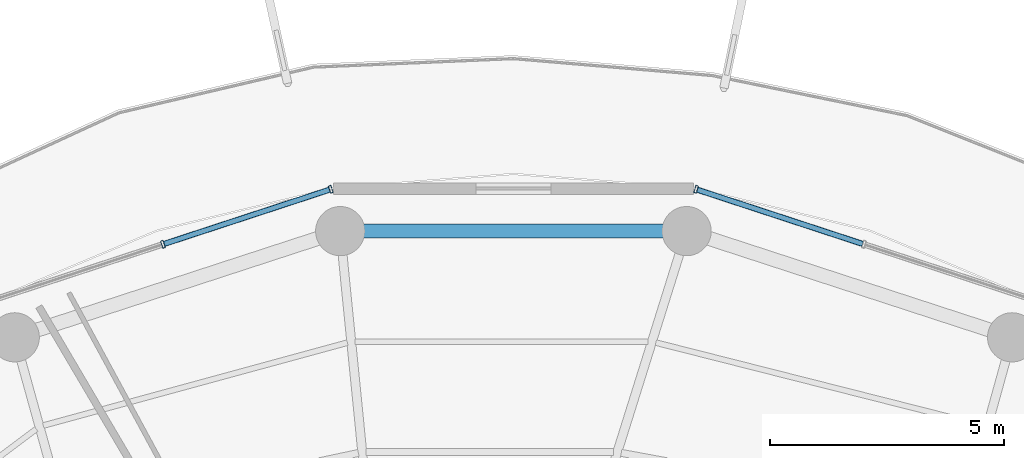
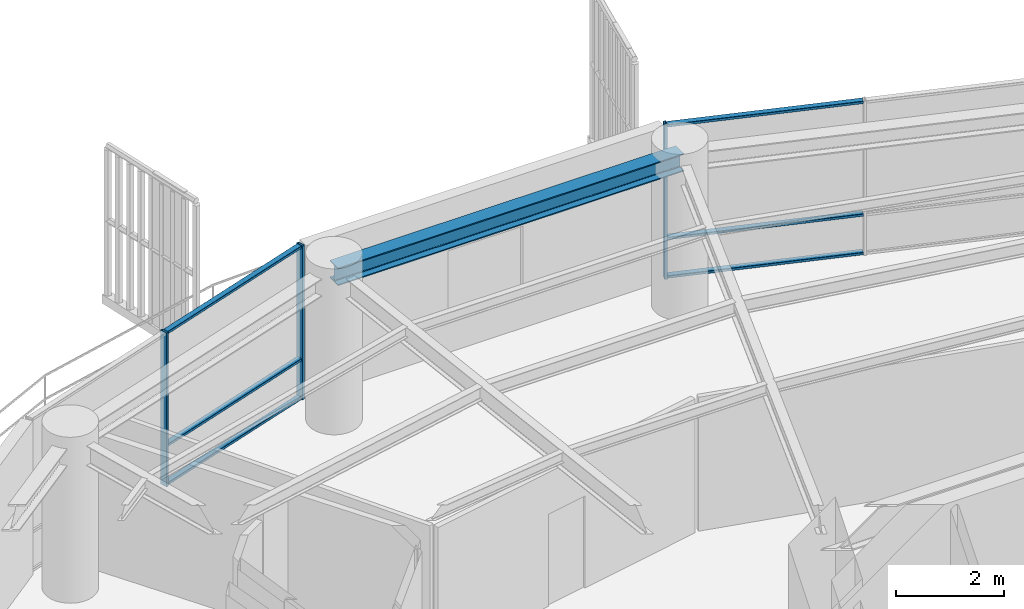
# One storey, part 20 of 31: 9 members, 1 beam, 2 elements without a shape of their own.
"""IFC4 building model written with IfcOpenShell, lengths in metres."""

from ifc_helpers import new_model, si_unit, direction, frame, origin, origin_2d, place, context, subcontext, project, spatial, hollow_rectangle, i_section, extrude, material, layer, layer_set, material_profile, profile_set, type_object, element, aggregate, save


model = new_model("IFC4")

# Units and contexts
model_context = context("Model", 3, precision=1e-05, world=origin(), true_north=direction((0.0, 1.0)))
body_context = subcontext(model_context, "Body", "Model", "MODEL_VIEW")
ifc_project = project(units=[si_unit("LENGTHUNIT", "METRE"), si_unit("AREAUNIT", "SQUARE_METRE"), si_unit("VOLUMEUNIT", "CUBIC_METRE"), si_unit("PLANEANGLEUNIT", "RADIAN"), si_unit("MASSUNIT", "GRAM", prefix="KILO")], contexts=[model_context])

# Site, building, storey
site_placement = place(None, origin())
site = spatial("IfcSite", under=ifc_project, at=site_placement, CompositionType="ELEMENT")
building_placement = place(site_placement, origin())
building = spatial("IfcBuilding", under=site, at=building_placement, Name="Kelanora Arch Commons", CompositionType="ELEMENT")
storey_placement = place(building_placement, frame((0.0, 0.0, 230.699951171875)))
storey = spatial("IfcBuildingStorey", under=building, at=storey_placement, Name="L59", CompositionType="ELEMENT", Elevation=230.699951171875)

# Beam
ifc_material_1 = material(Name="Steel S355", Category="steel")
ifc_material_profile_1 = material_profile(ifc_material_1, i_section(OverallWidth=0.300048828125, OverallDepth=0.39990234375, WebThickness=0.013427734375, FlangeThickness=0.02392578125, FilletRadius=0.027099609375, at=origin_2d()), Name="HEB400")
ifc_profile_set_1 = profile_set([ifc_material_profile_1], Name="Steel S355")
beam_type = type_object("IfcBeamType", Name="BM-SPN-Z4", PredefinedType="SPANDREL", material=ifc_profile_set_1)
beam_placement = place(storey_placement, frame((77.6953125, 76.7900390625, 3.2900390625), z_axis=(-1.0, 0.0, 0.0), x_axis=(0.0, -1.0, 0.0)))
element("IfcBeam", 1, at=beam_placement, inside=storey, type_object=beam_type, Name="Perimeter Spandrel Beam BS-08 L59", PredefinedType="SPANDREL", context=body_context, shape_type="SweptSolid", body=[
    extrude(i_section(OverallWidth=0.300048828125, OverallDepth=0.39990234375, WebThickness=0.013427734375, FlangeThickness=0.02392578125, FilletRadius=0.027099609375, at=origin_2d()), origin(), (0.0, 0.0, 1.0), 7.390625),
])

# Curtain wall, member
ifc_material_2 = material(Name="Terracotta ceramic-fritted low-E glass and aluminium", Category="masonry")
ifc_layer = layer(ifc_material_2, 0.175048828125)
ifc_layer_set = layer_set([ifc_layer], Name="Terracotta ceramic-fritted low-E glass and aluminium")
curtain_wall_type = type_object("IfcCurtainWallType", Name="CW-SYS-02", PredefinedType="NOTDEFINED", material=ifc_layer_set)
curtain_wall_1_placement = place(storey_placement, origin())
curtain_wall_1 = element("IfcCurtainWall", 2, at=curtain_wall_1_placement, inside=storey, type_object=curtain_wall_type, Name="Unitised Curtain Wall L59-B03", PredefinedType="NOTDEFINED")
ifc_material_3 = material(Name="Powder-coated aluminium terracotta", Category="masonry")
ifc_material_profile_2 = material_profile(ifc_material_3, hollow_rectangle(XDim=0.159912109375, YDim=0.06005859375, WallThickness=0.0048828125, InnerFilletRadius=0.0048828125, OuterFilletRadius=0.010009765625, at=origin_2d()), Name="CWM160x60")
ifc_profile_set_2 = profile_set([ifc_material_profile_2], Name="Powder-coated aluminium terracotta")
member_type_1 = type_object("IfcMemberType", Name="CWM-STD", PredefinedType="MULLION", material=ifc_profile_set_2)
member_1_placement = place(storey_placement, frame((77.897705078125, 77.68212890625, 0.0), z_axis=(0.0, 0.0, 1.0), x_axis=(-0.311582439059, -0.950219124029, 0.0)))
member_1 = element("IfcMember", 3, at=member_1_placement, type_object=member_type_1, Name="CW-02 mullion 3", PredefinedType="MULLION", context=body_context, shape_type="SweptSolid", body=[
    extrude(hollow_rectangle(XDim=0.159912109375, YDim=0.06005859375, WallThickness=0.0048828125, InnerFilletRadius=0.0048828125, OuterFilletRadius=0.010009765625, at=origin_2d()), origin(), (0.0, 0.0, 1.0), 3.47509765625),
])

# Curtain wall, members
curtain_wall_2_placement = place(storey_placement, origin())
curtain_wall_2 = element("IfcCurtainWall", 4, at=curtain_wall_2_placement, inside=storey, type_object=curtain_wall_type, Name="Unitised Curtain Wall L59-B05", PredefinedType="NOTDEFINED")
member_2_placement = place(storey_placement, frame((70.102294921875, 77.68212890625, 0.0), z_axis=(0.0, 0.0, 1.0), x_axis=(0.311582439059, -0.950219124029, 0.0)))
member_2 = element("IfcMember", 5, at=member_2_placement, type_object=member_type_1, Name="CW-02 mullion 1", PredefinedType="MULLION", context=body_context, shape_type="SweptSolid", body=[
    extrude(hollow_rectangle(XDim=0.159912109375, YDim=0.06005859375, WallThickness=0.0048828125, InnerFilletRadius=0.0048828125, OuterFilletRadius=0.010009765625, at=origin_2d()), origin(), (0.0, 0.0, 1.0), 3.47509765625),
])
member_3_placement = place(storey_placement, frame((66.5224609375, 76.50830078125, 0.0), z_axis=(0.0, 0.0, 1.0), x_axis=(0.311582439059, -0.950219124029, 0.0)))
member_3 = element("IfcMember", 6, at=member_3_placement, type_object=member_type_1, Name="CW-02 mullion 2", PredefinedType="MULLION", context=body_context, shape_type="SweptSolid", body=[
    extrude(hollow_rectangle(XDim=0.159912109375, YDim=0.06005859375, WallThickness=0.0048828125, InnerFilletRadius=0.0048828125, OuterFilletRadius=0.010009765625, at=origin_2d()), origin(), (0.0, 0.0, 1.0), 3.47509765625),
])

# Member
ifc_material_profile_3 = material_profile(ifc_material_3, hollow_rectangle(XDim=0.1201171875, YDim=0.06005859375, WallThickness=0.0048828125, InnerFilletRadius=0.0048828125, OuterFilletRadius=0.010009765625, at=origin_2d()), Name="CWT120x60")
ifc_profile_set_3 = profile_set([ifc_material_profile_3], Name="Powder-coated aluminium terracotta")
member_type_2 = type_object("IfcMemberType", Name="CWT-STD", PredefinedType="USERDEFINED", material=ifc_profile_set_3)
member_4_placement = place(storey_placement, frame((81.448974609375, 76.517578125, 0.030029296875), z_axis=(-0.950206527055, 0.311620852867, 0.0), x_axis=(-0.311620852867, -0.950206527055, 0.0)))
member_4 = element("IfcMember", 7, at=member_4_placement, type_object=member_type_2, Name="CW-02 transom 2.1", ObjectType="TRANSOM", PredefinedType="USERDEFINED", context=body_context, shape_type="SweptSolid", body=[
    extrude(hollow_rectangle(XDim=0.1201171875, YDim=0.06005859375, WallThickness=0.0048828125, InnerFilletRadius=0.0048828125, OuterFilletRadius=0.010009765625, at=origin_2d()), origin(), (0.0, 0.0, 1.0), 3.707275390625),
])

member_5_placement = place(storey_placement, frame((81.448974609375, 76.517578125, 0.900146484375), z_axis=(-0.950206527055, 0.311620852867, 0.0), x_axis=(-0.311620852867, -0.950206527055, 0.0)))
member_5 = element("IfcMember", 8, at=member_5_placement, type_object=member_type_2, Name="CW-02 transom 2.2", ObjectType="TRANSOM", PredefinedType="USERDEFINED", context=body_context, shape_type="SweptSolid", body=[
    extrude(hollow_rectangle(XDim=0.1201171875, YDim=0.06005859375, WallThickness=0.0048828125, InnerFilletRadius=0.0048828125, OuterFilletRadius=0.010009765625, at=origin_2d()), origin(), (0.0, 0.0, 1.0), 3.707275390625),
])

member_6_placement = place(storey_placement, frame((81.448974609375, 76.517578125, 3.445068359375), z_axis=(-0.950206527055, 0.311620852867, 0.0), x_axis=(-0.311620852867, -0.950206527055, 0.0)))
member_6 = element("IfcMember", 9, at=member_6_placement, type_object=member_type_2, Name="CW-02 transom 2.3", ObjectType="TRANSOM", PredefinedType="USERDEFINED", context=body_context, shape_type="SweptSolid", body=[
    extrude(hollow_rectangle(XDim=0.1201171875, YDim=0.06005859375, WallThickness=0.0048828125, InnerFilletRadius=0.0048828125, OuterFilletRadius=0.010009765625, at=origin_2d()), origin(), (0.0, 0.0, 1.0), 3.707275390625),
])

aggregate(curtain_wall_1, [member_1, member_4, member_5, member_6])

member_7_placement = place(storey_placement, frame((70.07373046875, 77.6728515625, 0.030029296875), z_axis=(-0.950206527055, -0.311620852867, 0.0), x_axis=(0.311620852867, -0.950206527055, 0.0)))
member_7 = element("IfcMember", 10, at=member_7_placement, type_object=member_type_2, Name="CW-02 transom 1.1", ObjectType="TRANSOM", PredefinedType="USERDEFINED", context=body_context, shape_type="SweptSolid", body=[
    extrude(hollow_rectangle(XDim=0.1201171875, YDim=0.06005859375, WallThickness=0.0048828125, InnerFilletRadius=0.0048828125, OuterFilletRadius=0.010009765625, at=origin_2d()), origin(), (0.0, 0.0, 1.0), 3.707275390625),
])

member_8_placement = place(storey_placement, frame((70.07373046875, 77.6728515625, 0.900146484375), z_axis=(-0.950206527055, -0.311620852867, 0.0), x_axis=(0.311620852867, -0.950206527055, 0.0)))
member_8 = element("IfcMember", 11, at=member_8_placement, type_object=member_type_2, Name="CW-02 transom 1.2", ObjectType="TRANSOM", PredefinedType="USERDEFINED", context=body_context, shape_type="SweptSolid", body=[
    extrude(hollow_rectangle(XDim=0.1201171875, YDim=0.06005859375, WallThickness=0.0048828125, InnerFilletRadius=0.0048828125, OuterFilletRadius=0.010009765625, at=origin_2d()), origin(), (0.0, 0.0, 1.0), 3.707275390625),
])

member_9_placement = place(storey_placement, frame((70.07373046875, 77.6728515625, 3.445068359375), z_axis=(-0.950206527055, -0.311620852867, 0.0), x_axis=(0.311620852867, -0.950206527055, 0.0)))
member_9 = element("IfcMember", 12, at=member_9_placement, type_object=member_type_2, Name="CW-02 transom 1.3", ObjectType="TRANSOM", PredefinedType="USERDEFINED", context=body_context, shape_type="SweptSolid", body=[
    extrude(hollow_rectangle(XDim=0.1201171875, YDim=0.06005859375, WallThickness=0.0048828125, InnerFilletRadius=0.0048828125, OuterFilletRadius=0.010009765625, at=origin_2d()), origin(), (0.0, 0.0, 1.0), 3.707275390625),
])

aggregate(curtain_wall_2, [member_2, member_3, member_7, member_8, member_9])

save(model, "model.ifc")
